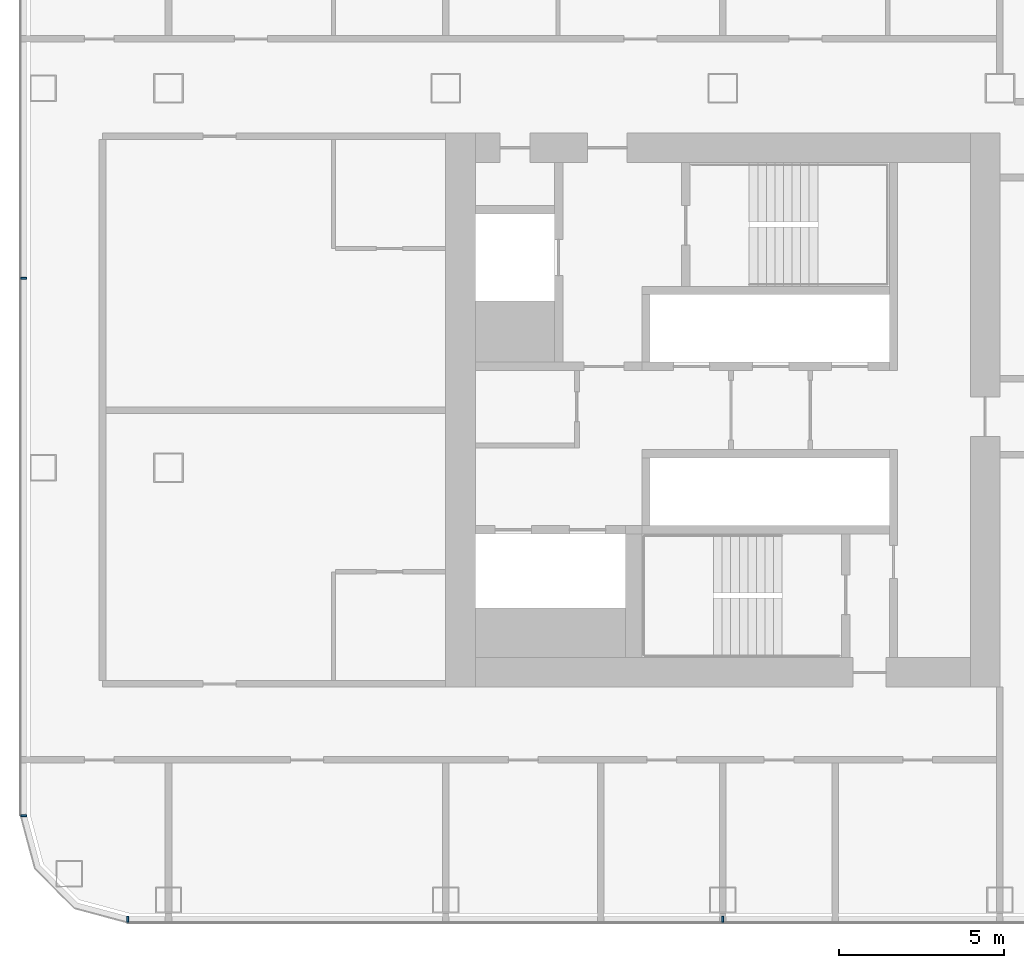
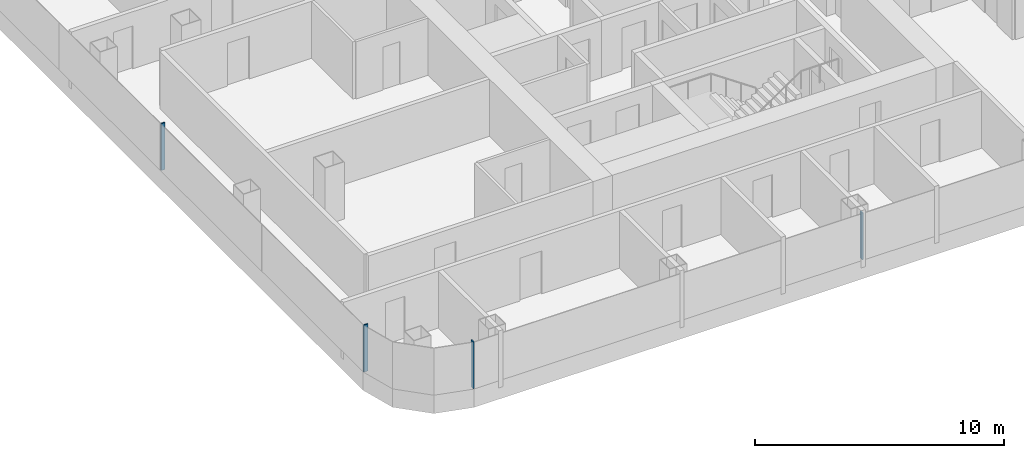
# One storey, part 2 of 29: 4 members, 2 elements without a shape of their own.
"""IFC4 building model written with IfcOpenShell, lengths in metres."""

from ifc_helpers import new_model, si_unit, direction, frame, origin, origin_2d, place, context, subcontext, project, spatial, rectangle, extrude, material, layer, layer_set, material_profile, profile_set, type_object, element, aggregate, save


model = new_model("IFC4")

# Units and contexts
model_context = context("Model", 3, precision=1e-05, world=origin(), true_north=direction((0.0, 1.0)))
body_context = subcontext(model_context, "Body", "Model", "MODEL_VIEW")
ifc_project = project(units=[si_unit("LENGTHUNIT", "METRE"), si_unit("AREAUNIT", "SQUARE_METRE"), si_unit("VOLUMEUNIT", "CUBIC_METRE"), si_unit("PLANEANGLEUNIT", "RADIAN"), si_unit("MASSUNIT", "GRAM", prefix="KILO")], contexts=[model_context])

# Site, building, storey
site_placement = place(None, origin())
site = spatial("IfcSite", under=ifc_project, at=site_placement, CompositionType="ELEMENT")
building_placement = place(site_placement, origin())
building = spatial("IfcBuilding", under=site, at=building_placement, Name="Hakoniwa Tower and Hamabe Station Hall", CompositionType="ELEMENT")
storey_placement = place(building_placement, frame((0.0, 0.0, 75.39990234375)))
storey = spatial("IfcBuildingStorey", under=building, at=storey_placement, Name="L20", CompositionType="ELEMENT", Elevation=75.39990234375)

# Curtain wall, members
ifc_material_1 = material(Name="Dark low-e laminated glass", Category="glass")
ifc_layer = layer(ifc_material_1, 0.199951171875)
ifc_layer_set = layer_set([ifc_layer], Name="CW-1 UNITISED GUEST")
curtain_wall_type = type_object("IfcCurtainWallType", Name="CW-1 UNITISED GUEST", PredefinedType="NOTDEFINED", material=ifc_layer_set)
curtain_wall_1_placement = place(storey_placement, origin())
curtain_wall_1 = element("IfcCurtainWall", 1, at=curtain_wall_1_placement, inside=storey, type_object=curtain_wall_type, Name="CW-1 curtain wall", PredefinedType="NOTDEFINED")
ifc_material_2 = material(Name="Aluminium 6063-T5 black anodised", Category="aluminium")
ifc_material_profile = material_profile(ifc_material_2, rectangle(XDim=0.06005859375, YDim=0.179931640625, at=origin_2d()), Name="CW-1 MULLION 60X180")
ifc_profile_set = profile_set([ifc_material_profile], Name="Aluminium 6063-T5 black anodised")
member_type = type_object("IfcMemberType", Name="CW-1 MULLION 60X180", PredefinedType="MULLION", material=ifc_profile_set)
member_1_placement = place(storey_placement, frame((-46.382080078125, 4.0, 0.35009765625), z_axis=(0.0, 0.0, 1.0), x_axis=(0.0, -1.0, 0.0)))
member_1 = element("IfcMember", 2, at=member_1_placement, type_object=member_type, Name="CW-1 mullion", PredefinedType="MULLION", context=body_context, shape_type="SweptSolid", body=[
    extrude(rectangle(XDim=0.06005859375, YDim=0.179931640625, at=origin_2d()), origin(), (0.0, 0.0, 1.0), 2.300048828125),
])
member_2_placement = place(storey_placement, frame((-46.382080078125, -12.28955078125, 0.35009765625), z_axis=(0.0, 0.0, 1.0), x_axis=(0.0, -1.0, 0.0)))
member_2 = element("IfcMember", 3, at=member_2_placement, type_object=member_type, Name="CW-1 mullion", PredefinedType="MULLION", context=body_context, shape_type="SweptSolid", body=[
    extrude(rectangle(XDim=0.06005859375, YDim=0.179931640625, at=origin_2d()), origin(), (0.0, 0.0, 1.0), 2.300048828125),
])
aggregate(curtain_wall_1, [member_1, member_2])

curtain_wall_2_placement = place(storey_placement, origin())
curtain_wall_2 = element("IfcCurtainWall", 4, at=curtain_wall_2_placement, inside=storey, type_object=curtain_wall_type, Name="CW-1 curtain wall", PredefinedType="NOTDEFINED")
member_3_placement = place(storey_placement, frame((-43.239501953125, -15.431884765625, 0.35009765625), z_axis=(0.0, 0.0, 1.0), x_axis=(1.0, 0.0, 0.0)))
member_3 = element("IfcMember", 5, at=member_3_placement, type_object=member_type, Name="CW-1 mullion", PredefinedType="MULLION", context=body_context, shape_type="SweptSolid", body=[
    extrude(rectangle(XDim=0.06005859375, YDim=0.179931640625, at=origin_2d()), origin(), (0.0, 0.0, 1.0), 2.300048828125),
])
member_4_placement = place(storey_placement, frame((-25.199951171875, -15.431884765625, 0.35009765625), z_axis=(0.0, 0.0, 1.0), x_axis=(1.0, 0.0, 0.0)))
member_4 = element("IfcMember", 6, at=member_4_placement, type_object=member_type, Name="CW-1 mullion", PredefinedType="MULLION", context=body_context, shape_type="SweptSolid", body=[
    extrude(rectangle(XDim=0.06005859375, YDim=0.179931640625, at=origin_2d()), origin(), (0.0, 0.0, 1.0), 2.300048828125),
])
aggregate(curtain_wall_2, [member_3, member_4])

save(model, "model.ifc")
